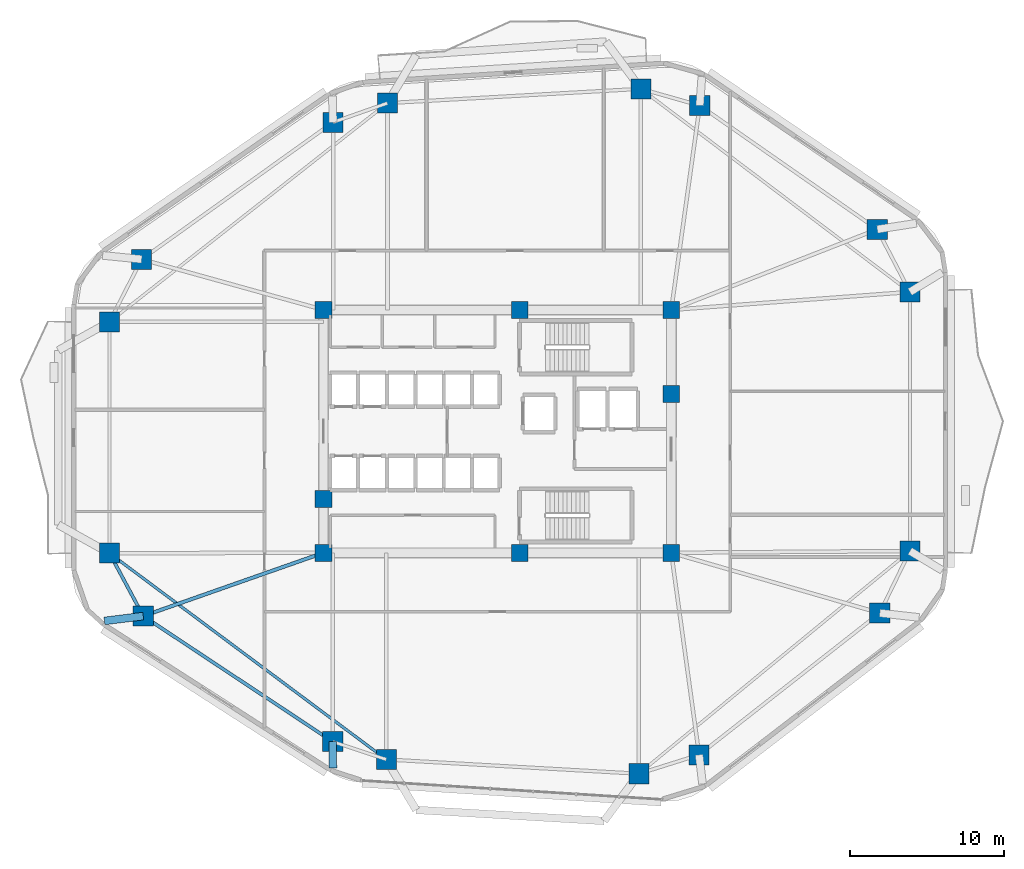
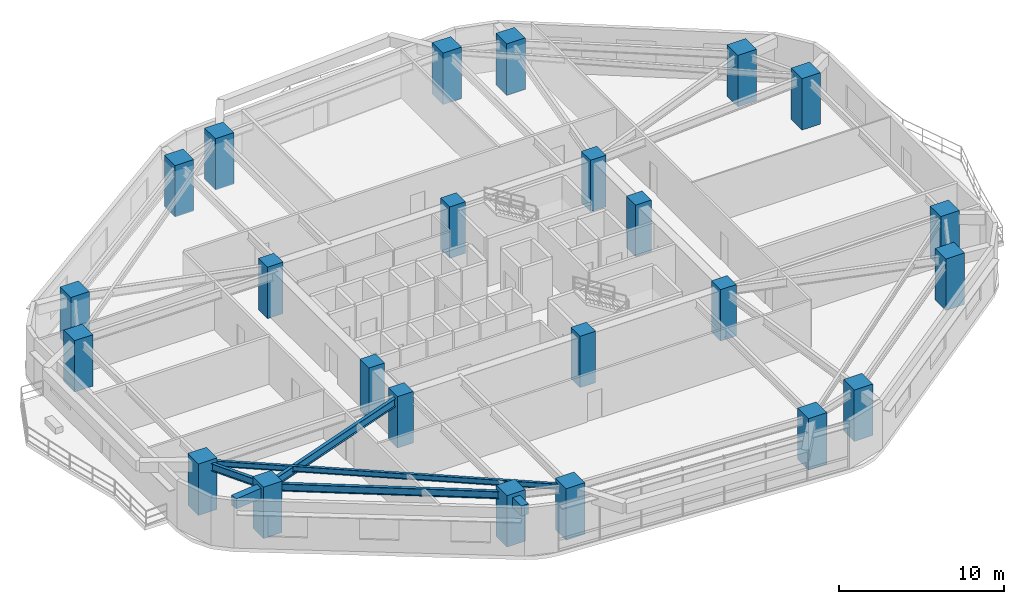
# One storey, part 1 of 13: 24 columns, 6 beams.
"""IFC4 building model written with IfcOpenShell, lengths in metres."""

from ifc_helpers import new_model, si_unit, direction, frame, origin, origin_2d, place, context, subcontext, project, spatial, rectangle, i_section, extrude, material, material_profile, profile_set, type_object, element, save


model = new_model("IFC4")

# Units and contexts
model_context = context("Model", 3, precision=1e-05, world=origin(), true_north=direction((0.0, 1.0)))
body_context = subcontext(model_context, "Body", "Model", "MODEL_VIEW")
ifc_project = project(units=[si_unit("LENGTHUNIT", "METRE"), si_unit("AREAUNIT", "SQUARE_METRE"), si_unit("VOLUMEUNIT", "CUBIC_METRE"), si_unit("PLANEANGLEUNIT", "RADIAN"), si_unit("MASSUNIT", "GRAM", prefix="KILO")], contexts=[model_context])

# Site, building, storey
site_placement = place(None, origin())
site = spatial("IfcSite", under=ifc_project, at=site_placement, CompositionType="ELEMENT")
building_placement = place(site_placement, origin())
building = spatial("IfcBuilding", under=site, at=building_placement, Name="Zulverin Broadcast Headquarters", CompositionType="ELEMENT")
storey_placement = place(building_placement, frame((0.0, 0.0, 47.800048828125)))
storey = spatial("IfcBuildingStorey", under=building, at=storey_placement, Name="L11", CompositionType="ELEMENT", Elevation=47.800048828125)

# Columns
ifc_material_1 = material(Name="Concrete C60/75", Category="concrete")
ifc_material_profile_1 = material_profile(ifc_material_1, rectangle(XDim=1.300048828125, YDim=1.300048828125, at=origin_2d()), Name="Concrete C60/75", Category="concrete")
ifc_profile_set_1 = profile_set([ifc_material_profile_1], Name="Concrete C60/75")
column_type_1 = type_object("IfcColumnType", Name="COL-RC-1300", PredefinedType="COLUMN", material=ifc_profile_set_1)
for number, where, z_axis, x_axis, name in (
    (1, (29.79638671875, 3.922119140625, 0.0), (0.0, 0.0, 1.0), (1.0, 0.0, 0.0), "L11 Perimeter Column T01"),
    (2, (46.175048828125, 2.997802734375, 0.0), (0.0, 0.0, 1.0), (1.0, 0.0, 0.0), "L11 Perimeter Column T02"),
    (3, (50.08056640625, 4.22509765625, 0.0), (0.0, 0.0, 1.0), (1.0, 0.0, 0.0), "L11 Perimeter Column T03"),
    (4, (61.79296875, 13.416259765625, 0.0), (0.0, 0.0, 1.0), (1.0, 0.0, 0.0), "L11 Perimeter Column T04"),
    (5, (63.75, 17.439697265625, 0.0), (0.0, 0.0, 1.0), (1.0, 0.0, 0.0), "L11 Perimeter Column T05"),
    (6, (63.75, 34.235107421875, 0.0), (0.0, 0.0, 1.0), (1.0, 0.0, 0.0), "L11 Perimeter Column T06"),
    (7, (61.630126953125, 38.298583984375, 0.0), (0.0, 0.0, 1.0), (1.0, 0.0, 0.0), "L11 Perimeter Column T07"),
    (8, (50.121826171875, 46.325927734375, 0.0), (0.0, 0.0, 1.0), (1.0, 0.0, 0.0), "L11 Perimeter Column T08"),
    (9, (46.30224609375, 47.4091796875, 0.0), (0.0, 0.0, 1.0), (1.0, 0.0, 0.0), "L11 Perimeter Column T09"),
    (10, (29.873779296875, 46.482177734375, 0.0), (0.0, 0.0, 1.0), (1.0, 0.0, 0.0), "L11 Perimeter Column T10"),
    (11, (26.344482421875, 45.23828125, 0.0), (0.0, 0.0, 1.0), (1.0, 0.0, 0.0), "L11 Perimeter Column T11"),
    (12, (13.934326171875, 36.353759765625, 0.0), (0.0, 0.0, 1.0), (1.0, 0.0, 0.0), "L11 Perimeter Column T12"),
    (13, (11.85009765625, 32.298095703125, 0.0), (0.0, 0.0, 1.0), (1.0, 0.0, 0.0), "L11 Perimeter Column T13"),
    (14, (11.85009765625, 17.297607421875, 0.0), (0.0, 0.0, 1.0), (1.0, 0.0, 0.0), "L11 Perimeter Column T14"),
    (15, (14.0390625, 13.219970703125, 0.0), (0.0, 0.0, 1.0), (1.0, 0.0, 0.0), "L11 Perimeter Column T15"),
    (16, (26.3251953125, 5.075927734375, 0.0), (0.0, 0.0, 1.0), (1.0, 0.0, 0.0), "L11 Perimeter Column T16"),
):
    element("IfcColumn", number, at=place(storey_placement, frame(where, z_axis=z_axis, x_axis=x_axis)), inside=storey, type_object=column_type_1, Name=name, PredefinedType="COLUMN", context=body_context, shape_type="SweptSolid", body=[
        extrude(rectangle(XDim=1.300048828125, YDim=1.300048828125, at=origin_2d()), origin(), (0.0, 0.0, 1.0), 3.800048828125),
    ])
ifc_material_profile_2 = material_profile(ifc_material_1, rectangle(XDim=1.10009765625, YDim=1.10009765625, at=origin_2d()), Name="Concrete C60/75", Category="concrete")
ifc_profile_set_2 = profile_set([ifc_material_profile_2], Name="Concrete C60/75")
column_type_2 = type_object("IfcColumnType", Name="PIL-RC-1100", PredefinedType="PILASTER", material=ifc_profile_set_2)
for number, where, z_axis, x_axis, name in (
    (17, (25.72509765625, 17.324951171875, 0.0), (0.0, 0.0, 1.0), (1.0, 0.0, 0.0), "L11 Core Pilaster K01"),
    (18, (38.449951171875, 17.324951171875, 0.0), (0.0, 0.0, 1.0), (1.0, 0.0, 0.0), "L11 Core Pilaster K02"),
    (19, (48.27490234375, 17.324951171875, 0.0), (0.0, 0.0, 1.0), (1.0, 0.0, 0.0), "L11 Core Pilaster K03"),
    (20, (48.27490234375, 27.6201171875, 0.0), (0.0, 0.0, 1.0), (1.0, 0.0, 0.0), "L11 Core Pilaster K04"),
    (21, (48.27490234375, 33.074951171875, 0.0), (0.0, 0.0, 1.0), (1.0, 0.0, 0.0), "L11 Core Pilaster K05"),
    (22, (38.449951171875, 33.074951171875, 0.0), (0.0, 0.0, 1.0), (1.0, 0.0, 0.0), "L11 Core Pilaster K06"),
    (23, (25.72509765625, 33.074951171875, 0.0), (0.0, 0.0, 1.0), (1.0, 0.0, 0.0), "L11 Core Pilaster K07"),
    (24, (25.72509765625, 20.800048828125, 0.0), (0.0, 0.0, 1.0), (1.0, 0.0, 0.0), "L11 Core Pilaster K08"),
):
    element("IfcColumn", number, at=place(storey_placement, frame(where, z_axis=z_axis, x_axis=x_axis)), inside=storey, type_object=column_type_2, Name=name, PredefinedType="PILASTER", context=body_context, shape_type="SweptSolid", body=[
        extrude(rectangle(XDim=1.10009765625, YDim=1.10009765625, at=origin_2d()), origin(), (0.0, 0.0, 1.0), 3.800048828125),
    ])

# Beams
ifc_material_2 = material(Name="Concrete C40/50", Category="concrete")
ifc_material_profile_3 = material_profile(ifc_material_2, rectangle(XDim=0.5, YDim=0.75, at=origin_2d()), Name="Concrete C40/50", Category="concrete")
ifc_profile_set_3 = profile_set([ifc_material_profile_3], Name="Concrete C40/50")
beam_type_1 = type_object("IfcBeamType", Name="BM-RC-500x750", PredefinedType="BEAM", material=ifc_profile_set_3)
beam_1_placement = place(storey_placement, frame((14.0390625, 13.219970703125, 3.14990234375), z_axis=(-0.992258640565, -0.124188526941, 0.0), x_axis=(0.124188526941, -0.992258640565, 0.0)))
element("IfcBeam", 25, at=beam_1_placement, inside=storey, type_object=beam_type_1, Name="L12 Plate Overhang Back-Spanned Beam OVR-15", PredefinedType="BEAM", context=body_context, shape_type="SweptSolid", body=[
    extrude(rectangle(XDim=0.5, YDim=0.75, at=origin_2d()), origin(), (0.0, 0.0, 1.0), 2.5400390625),
])
beam_2_placement = place(storey_placement, frame((26.3251953125, 5.075927734375, 3.14990234375), z_axis=(0.006204786761, -0.999980750125, 0.0), x_axis=(0.999980750125, 0.006204786761, 0.0)))
element("IfcBeam", 26, at=beam_2_placement, inside=storey, type_object=beam_type_1, Name="L12 Plate Overhang Back-Spanned Beam OVR-16", PredefinedType="BEAM", context=body_context, shape_type="SweptSolid", body=[
    extrude(rectangle(XDim=0.5, YDim=0.75, at=origin_2d()), origin(), (0.0, 0.0, 1.0), 1.69189453125),
])
ifc_material_3 = material(Name="Structural steel S355JR", Category="steel")
ifc_material_profile_4 = material_profile(ifc_material_3, i_section(OverallWidth=0.179443359375, OverallDepth=0.412841796875, WebThickness=0.009521484375, FlangeThickness=0.01611328125, at=origin_2d()), Name="Structural steel S355JR", Category="steel")
ifc_profile_set_4 = profile_set([ifc_material_profile_4], Name="Structural steel S355JR")
beam_type_2 = type_object("IfcBeamType", Name="BM-UB-406", PredefinedType="JOIST", material=ifc_profile_set_4)
beam_3_placement = place(storey_placement, frame((11.85009765625, 17.297607421875, 3.318603515625), z_axis=(0.801802688634, -0.59758886243, 0.0), x_axis=(0.59758886243, 0.801802688634, 0.0)))
element("IfcBeam", 27, at=beam_3_placement, inside=storey, type_object=beam_type_2, Name="L11 Chordal Floor Joist J-04", PredefinedType="JOIST", context=body_context, shape_type="SweptSolid", body=[
    extrude(i_section(OverallWidth=0.179443359375, OverallDepth=0.412841796875, WebThickness=0.009521484375, FlangeThickness=0.01611328125, at=origin_2d()), origin(), (0.0, 0.0, 1.0), 22.38232421875),
])
ifc_material_profile_5 = material_profile(ifc_material_3, i_section(OverallWidth=0.2119140625, OverallDepth=0.54443359375, WebThickness=0.0126953125, FlangeThickness=0.021240234375, at=origin_2d()), Name="Structural steel S355JR", Category="steel")
ifc_profile_set_5 = profile_set([ifc_material_profile_5], Name="Structural steel S355JR")
beam_type_3 = type_object("IfcBeamType", Name="BM-UB-533", PredefinedType="SPANDREL", material=ifc_profile_set_5)
beam_4_placement = place(storey_placement, frame((11.85009765625, 17.297607421875, 3.252685546875), z_axis=(0.472979536362, -0.881073412482, 0.0), x_axis=(0.881073412482, 0.472979536362, 0.0)))
element("IfcBeam", 28, at=beam_4_placement, inside=storey, type_object=beam_type_3, Name="L11 Perimeter Spandrel Beam SP-14", PredefinedType="SPANDREL", context=body_context, shape_type="SweptSolid", body=[
    extrude(i_section(OverallWidth=0.2119140625, OverallDepth=0.54443359375, WebThickness=0.0126953125, FlangeThickness=0.021240234375, at=origin_2d()), origin(), (0.0, 0.0, 1.0), 4.6279296875),
])
beam_5_placement = place(storey_placement, frame((14.0390625, 13.219970703125, 3.252685546875), z_axis=(0.833510030956, -0.552504324232, 0.0), x_axis=(0.552504324232, 0.833510030956, 0.0)))
element("IfcBeam", 29, at=beam_5_placement, inside=storey, type_object=beam_type_3, Name="L11 Perimeter Spandrel Beam SP-15", PredefinedType="SPANDREL", context=body_context, shape_type="SweptSolid", body=[
    extrude(i_section(OverallWidth=0.2119140625, OverallDepth=0.54443359375, WebThickness=0.0126953125, FlangeThickness=0.021240234375, at=origin_2d()), origin(), (0.0, 0.0, 1.0), 14.740234375),
])
ifc_material_profile_6 = material_profile(ifc_material_3, i_section(OverallWidth=0.230224609375, OverallDepth=0.6171875, WebThickness=0.01318359375, FlangeThickness=0.022216796875, at=origin_2d()), Name="Structural steel S355JR", Category="steel")
ifc_profile_set_6 = profile_set([ifc_material_profile_6], Name="Structural steel S355JR")
beam_type_4 = type_object("IfcBeamType", Name="BM-UB-610", PredefinedType="BEAM", material=ifc_profile_set_6)
beam_6_placement = place(storey_placement, frame((25.72509765625, 17.324951171875, 3.21630859375), z_axis=(-0.943483462345, -0.331419607569, 0.0), x_axis=(0.331419607569, -0.943483462345, 0.0)))
element("IfcBeam", 30, at=beam_6_placement, inside=storey, type_object=beam_type_4, Name="L11 Radial Primary Floor Beam RB-15", PredefinedType="BEAM", context=body_context, shape_type="SweptSolid", body=[
    extrude(i_section(OverallWidth=0.230224609375, OverallDepth=0.6171875, WebThickness=0.01318359375, FlangeThickness=0.022216796875, at=origin_2d()), origin(), (0.0, 0.0, 1.0), 12.385986328125),
])

save(model, "model.ifc")
